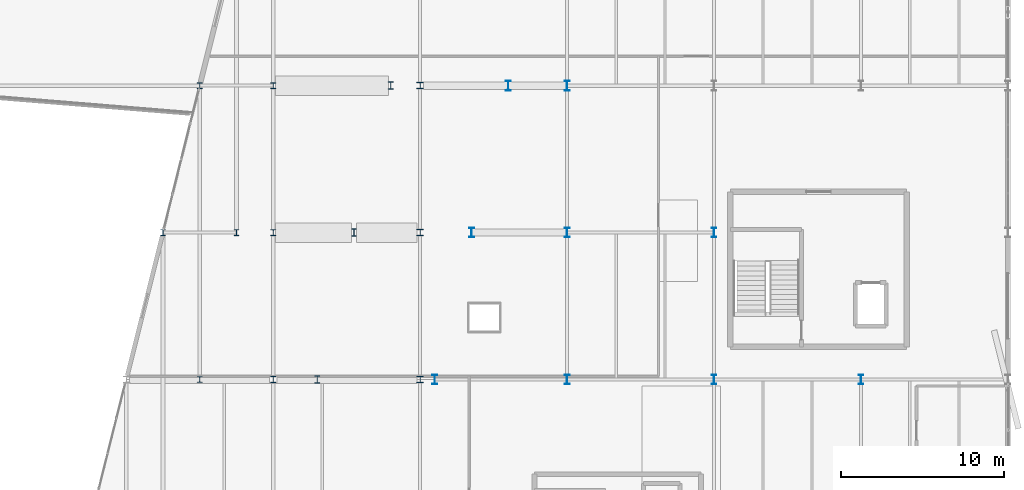
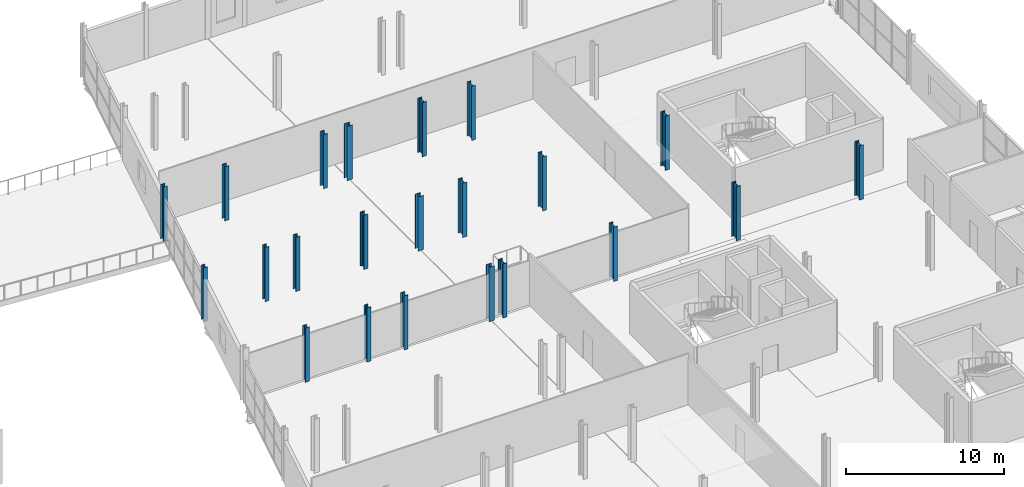
# One storey, part 17 of 135: 22 columns.
"""IFC4 building model written with IfcOpenShell, lengths in metres."""

from ifc_helpers import new_model, si_unit, direction, frame, origin, origin_2d, place, context, subcontext, project, spatial, i_section, extrude, material, material_profile, profile_set, type_object, element, save


model = new_model("IFC4")

# Units and contexts
model_context = context("Model", 3, precision=1e-05, world=origin(), true_north=direction((0.0, 1.0)))
body_context = subcontext(model_context, "Body", "Model", "MODEL_VIEW")
ifc_project = project(units=[si_unit("LENGTHUNIT", "METRE"), si_unit("AREAUNIT", "SQUARE_METRE"), si_unit("VOLUMEUNIT", "CUBIC_METRE"), si_unit("PLANEANGLEUNIT", "RADIAN"), si_unit("MASSUNIT", "GRAM", prefix="KILO")], contexts=[model_context])

# Site, building, storey
site_placement = place(None, origin())
site = spatial("IfcSite", under=ifc_project, at=site_placement, CompositionType="ELEMENT")
building_placement = place(site_placement, origin())
building = spatial("IfcBuilding", under=site, at=building_placement, Name="Deido Ridge Mobility Hub", CompositionType="ELEMENT")
storey_placement = place(building_placement, frame((0.0, 0.0, 4.199951171875)))
storey = spatial("IfcBuildingStorey", under=building, at=storey_placement, Name="L01", CompositionType="ELEMENT", Elevation=4.199951171875)

# Columns
ifc_material = material(Name="Steel S355J2 EN 10025-2", Category="steel")
ifc_material_profile_1 = material_profile(ifc_material, i_section(OverallWidth=0.39892578125, OverallDepth=0.39306640625, WebThickness=0.017578125, FlangeThickness=0.028076171875, FilletRadius=0.014892578125, at=origin_2d()), Name="HD 400x287")
ifc_profile_set_1 = profile_set([ifc_material_profile_1], Name="Steel S355J2 EN 10025-2")
column_type_1 = type_object("IfcColumnType", Name="COL-HD400-287", PredefinedType="COLUMN", material=ifc_profile_set_1)
for number, where, z_axis, x_axis, name in (
    (1, (144.0, 36.0, 0.0), (0.0, 0.0, 1.0), (1.0, 0.0, 0.0), "Structural column C2"),
    (2, (144.0, 45.0, 0.0), (0.0, 0.0, 1.0), (1.0, 0.0, 0.0), "Structural column C2"),
    (3, (144.0, 54.0, 0.0), (0.0, 0.0, 1.0), (1.0, 0.0, 0.0), "Structural column C2"),
):
    element("IfcColumn", number, at=place(storey_placement, frame(where, z_axis=z_axis, x_axis=x_axis)), inside=storey, type_object=column_type_1, Name=name, PredefinedType="COLUMN", context=body_context, shape_type="SweptSolid", body=[
        extrude(i_section(OverallWidth=0.39892578125, OverallDepth=0.39306640625, WebThickness=0.017578125, FlangeThickness=0.028076171875, FilletRadius=0.014892578125, at=origin_2d()), origin(), (0.0, 0.0, 1.0), 4.199951171875),
    ])
ifc_material_profile_2 = material_profile(ifc_material, i_section(OverallWidth=0.300048828125, OverallDepth=0.360107421875, WebThickness=0.012451171875, FlangeThickness=0.0224609375, FilletRadius=0.027099609375, at=origin_2d()), Name="HEB 360")
ifc_profile_set_2 = profile_set([ifc_material_profile_2], Name="Steel S355J2 EN 10025-2")
column_type_2 = type_object("IfcColumnType", Name="COL-HEB360", PredefinedType="COLUMN", material=ifc_profile_set_2)
for number, where, z_axis, x_axis, name in (
    (4, (130.5, 36.0, 0.0), (0.0, 0.0, 1.0), (1.0, 0.0, 0.0), "Structural column C8"),
    (5, (128.25, 45.0, 0.0), (0.0, 0.0, 1.0), (1.0, 0.0, 0.0), "Structural column C8"),
    (6, (132.75, 45.0, 0.0), (0.0, 0.0, 1.0), (1.0, 0.0, 0.0), "Structural column C8"),
    (7, (135.0, 45.0, 0.0), (0.0, 0.0, 1.0), (1.0, 0.0, 0.0), "Structural column C8"),
    (8, (130.5, 54.0, 0.0), (0.0, 0.0, 1.0), (1.0, 0.0, 0.0), "Structural column C8"),
    (9, (135.0, 54.0, 0.0), (0.0, 0.0, 1.0), (1.0, 0.0, 0.0), "Structural column C8"),
):
    element("IfcColumn", number, at=place(storey_placement, frame(where, z_axis=z_axis, x_axis=x_axis)), inside=storey, type_object=column_type_2, Name=name, PredefinedType="COLUMN", context=body_context, shape_type="SweptSolid", body=[
        extrude(i_section(OverallWidth=0.300048828125, OverallDepth=0.360107421875, WebThickness=0.012451171875, FlangeThickness=0.0224609375, FilletRadius=0.027099609375, at=origin_2d()), origin(), (0.0, 0.0, 1.0), 4.199951171875),
    ])
ifc_material_profile_3 = material_profile(ifc_material, i_section(OverallWidth=0.300048828125, OverallDepth=0.39990234375, WebThickness=0.013427734375, FlangeThickness=0.02392578125, FilletRadius=0.027099609375, at=origin_2d()), Name="HEB 400")
ifc_profile_set_3 = profile_set([ifc_material_profile_3], Name="Steel S355J2 EN 10025-2")
column_type_3 = type_object("IfcColumnType", Name="COL-HEB400", PredefinedType="COLUMN", material=ifc_profile_set_3)
column_placement = place(storey_placement, frame((135.0, 36.0, 0.0), z_axis=(0.0, 0.0, 1.0), x_axis=(1.0, 0.0, 0.0)))
element("IfcColumn", 10, at=column_placement, inside=storey, type_object=column_type_3, Name="Structural column C7", PredefinedType="COLUMN", context=body_context, shape_type="SweptSolid", body=[
    extrude(i_section(OverallWidth=0.300048828125, OverallDepth=0.39990234375, WebThickness=0.013427734375, FlangeThickness=0.02392578125, FilletRadius=0.027099609375, at=origin_2d()), origin(), (0.0, 0.0, 1.0), 4.199951171875),
])
ifc_material_profile_4 = material_profile(ifc_material, i_section(OverallWidth=0.300048828125, OverallDepth=0.449951171875, WebThickness=0.013916015625, FlangeThickness=0.02587890625, FilletRadius=0.027099609375, at=origin_2d()), Name="HEB 450")
ifc_profile_set_4 = profile_set([ifc_material_profile_4], Name="Steel S355J2 EN 10025-2")
column_type_4 = type_object("IfcColumnType", Name="COL-HEB450", PredefinedType="COLUMN", material=ifc_profile_set_4)
for number, where, z_axis, x_axis, name in (
    (11, (137.699951171875, 36.0, 0.0), (0.0, 0.0, 1.0), (1.0, 0.0, 0.0), "Structural column C6"),
    (12, (139.949951171875, 45.0, 0.0), (0.0, 0.0, 1.0), (1.0, 0.0, 0.0), "Structural column C6"),
    (13, (142.199951171875, 54.0, 0.0), (0.0, 0.0, 1.0), (1.0, 0.0, 0.0), "Structural column C6"),
):
    element("IfcColumn", number, at=place(storey_placement, frame(where, z_axis=z_axis, x_axis=x_axis)), inside=storey, type_object=column_type_4, Name=name, PredefinedType="COLUMN", context=body_context, shape_type="SweptSolid", body=[
        extrude(i_section(OverallWidth=0.300048828125, OverallDepth=0.449951171875, WebThickness=0.013916015625, FlangeThickness=0.02587890625, FilletRadius=0.027099609375, at=origin_2d()), origin(), (0.0, 0.0, 1.0), 4.199951171875),
    ])
ifc_material_profile_5 = material_profile(ifc_material, i_section(OverallWidth=0.300048828125, OverallDepth=0.60009765625, WebThickness=0.015380859375, FlangeThickness=0.030029296875, FilletRadius=0.027099609375, at=origin_2d()), Name="HEB 600")
ifc_profile_set_5 = profile_set([ifc_material_profile_5], Name="Steel S355J2 EN 10025-2")
column_type_5 = type_object("IfcColumnType", Name="COL-HEB600", PredefinedType="COLUMN", material=ifc_profile_set_5)
for number, where, z_axis, x_axis, name in (
    (14, (144.89990234375, 36.0, 0.0), (0.0, 0.0, 1.0), (1.0, 0.0, 0.0), "Structural column C4"),
    (15, (153.0, 36.0, 0.0), (0.0, 0.0, 1.0), (1.0, 0.0, 0.0), "Structural column C4"),
    (16, (162.0, 36.0, 0.0), (0.0, 0.0, 1.0), (1.0, 0.0, 0.0), "Structural column C4"),
    (17, (171.0, 36.0, 0.0), (0.0, 0.0, 1.0), (1.0, 0.0, 0.0), "Structural column C4"),
    (18, (147.14990234375, 45.0, 0.0), (0.0, 0.0, 1.0), (1.0, 0.0, 0.0), "Structural column C4"),
    (19, (153.0, 45.0, 0.0), (0.0, 0.0, 1.0), (1.0, 0.0, 0.0), "Structural column C4"),
    (20, (162.0, 45.0, 0.0), (0.0, 0.0, 1.0), (1.0, 0.0, 0.0), "Structural column C4"),
    (21, (149.39990234375, 54.0, 0.0), (0.0, 0.0, 1.0), (1.0, 0.0, 0.0), "Structural column C4"),
    (22, (153.0, 54.0, 0.0), (0.0, 0.0, 1.0), (1.0, 0.0, 0.0), "Structural column C4"),
):
    element("IfcColumn", number, at=place(storey_placement, frame(where, z_axis=z_axis, x_axis=x_axis)), inside=storey, type_object=column_type_5, Name=name, PredefinedType="COLUMN", context=body_context, shape_type="SweptSolid", body=[
        extrude(i_section(OverallWidth=0.300048828125, OverallDepth=0.60009765625, WebThickness=0.015380859375, FlangeThickness=0.030029296875, FilletRadius=0.027099609375, at=origin_2d()), origin(), (0.0, 0.0, 1.0), 4.199951171875),
    ])

save(model, "model.ifc")
